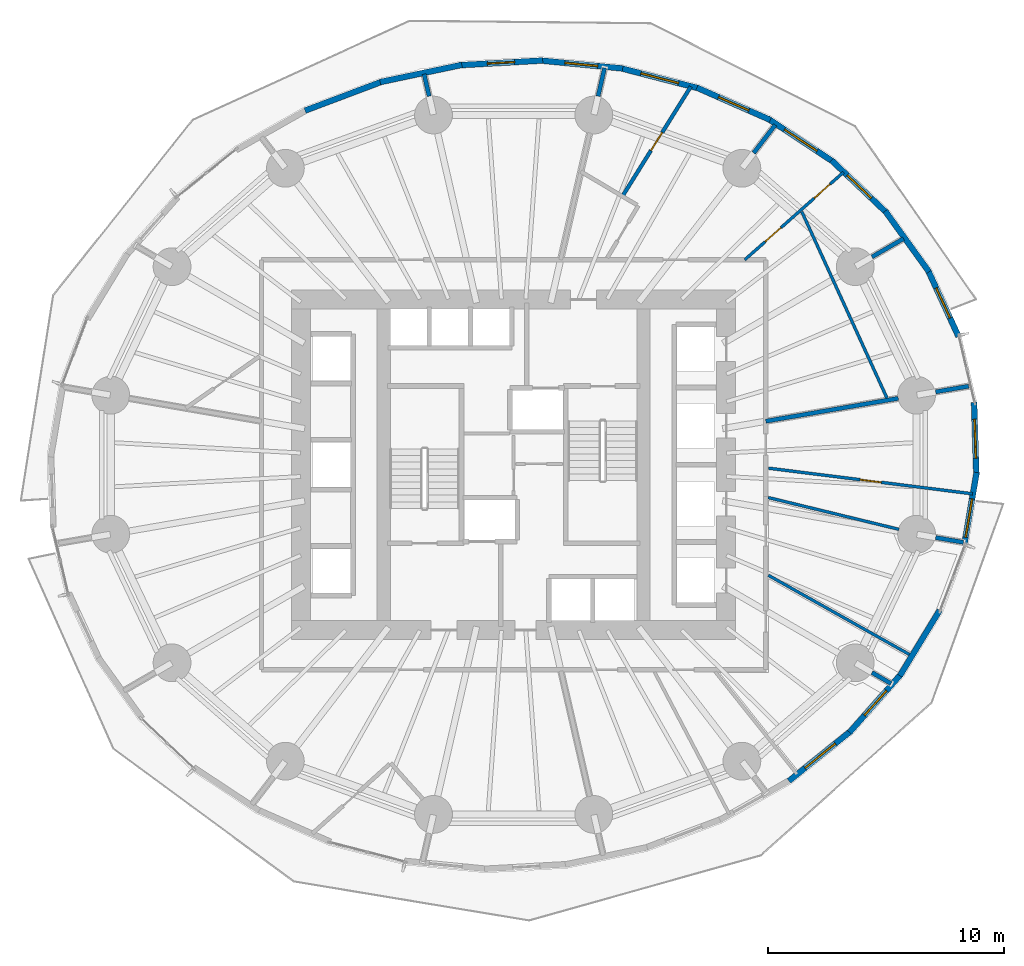
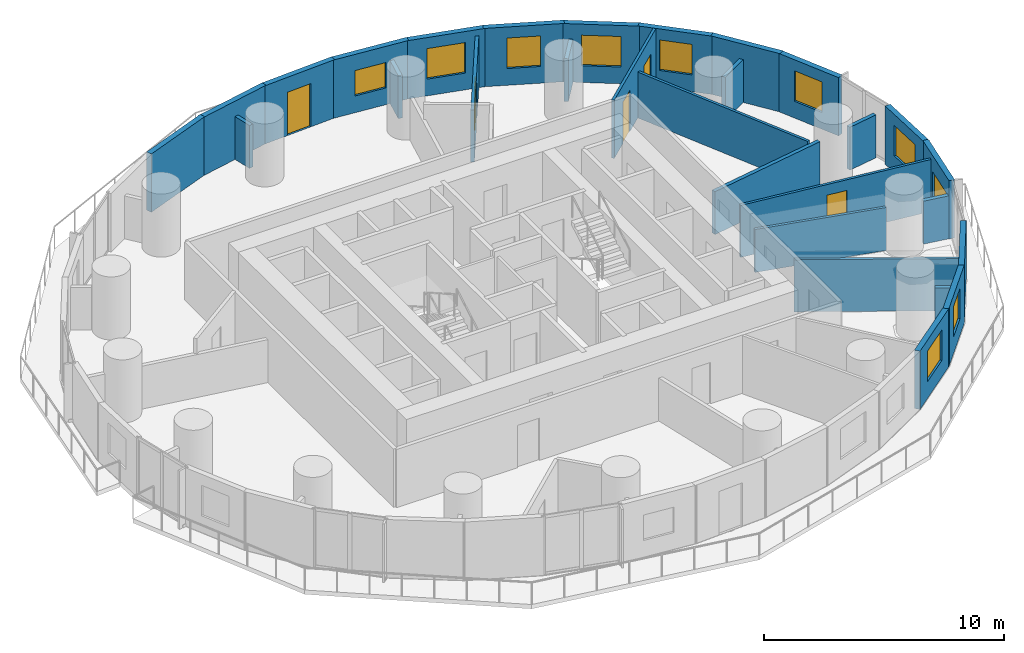
# One storey, part 9 of 14: 29 walls, 10 windows, 5 doors, 15 openings.
"""IFC4 building model written with IfcOpenShell, lengths in metres."""

from ifc_helpers import new_model, si_unit, direction, frame, frame_2d, origin, place, context, subcontext, project, spatial, rectangle, extrude, material, layer, layer_set, type_object, element, fill, save


model = new_model("IFC4")

# Units and contexts
model_context = context("Model", 3, precision=1e-05, world=origin(), true_north=direction((0.0, 1.0)))
body_context = subcontext(model_context, "Body", "Model", "MODEL_VIEW")
ifc_project = project(units=[si_unit("LENGTHUNIT", "METRE"), si_unit("AREAUNIT", "SQUARE_METRE"), si_unit("VOLUMEUNIT", "CUBIC_METRE"), si_unit("PLANEANGLEUNIT", "RADIAN"), si_unit("MASSUNIT", "GRAM", prefix="KILO")], contexts=[model_context])

# Site, building, storey
site_placement = place(None, origin())
site = spatial("IfcSite", under=ifc_project, at=site_placement, CompositionType="ELEMENT")
building_placement = place(site_placement, origin())
building = spatial("IfcBuilding", under=site, at=building_placement, Name="Veldorim Arch Residences", CompositionType="ELEMENT")
storey_placement = place(building_placement, frame((0.0, 0.0, 40.800048828125)))
storey = spatial("IfcBuildingStorey", under=building, at=storey_placement, Name="L11", CompositionType="ELEMENT", Elevation=40.800048828125)

# Wall, opening, door
ifc_material_1 = material(Name="Acoustic Gypsum Board", Category="gypsum")
ifc_layer_1 = layer(ifc_material_1, 0.125, Name="Acoustic Stud Room Partition Wall 125")
ifc_layer_set_1 = layer_set([ifc_layer_1], Name="Acoustic Gypsum Board")
wall_type_1 = type_object("IfcWallType", Name="Acoustic Stud Room Partition Wall 125", PredefinedType="PARTITIONING", material=ifc_layer_set_1)
wall_1_placement = place(storey_placement, frame((51.439453125, 22.767822265625, 0.0), z_axis=(0.0, 0.0, 1.0), x_axis=(-0.992204813033, 0.124617851825, 0.0)))
wall_1 = element("IfcWall", 1, at=wall_1_placement, inside=storey, type_object=wall_type_1, Name="L11 interior wall WL-RES-L11-006", PredefinedType="PARTITIONING", context=body_context, shape_type="SweptSolid", body=[
    extrude(rectangle(XDim=8.708251953125, YDim=0.125, at=frame_2d((4.35400390625, 0.0))), origin(), (0.0, 0.0, 1.0), 2.641357421875),
])
opening_1_placement = place(wall_1_placement, frame((3.904052734375, 0.0, 0.0)))
opening_1 = element("IfcOpeningElement", 2, at=opening_1_placement, cuts=wall_1, Name="Opening DR-SVC", PredefinedType="OPENING", context=body_context, shape_type="SweptSolid", body=[
    extrude(rectangle(XDim=0.89990234375, YDim=2.10009765625, at=frame_2d((0.449951171875, 1.050048828125))), frame((0.0, 0.072509765625, 0.0), z_axis=(0.0, -1.0, 0.0), x_axis=(1.0, 0.0, 0.0)), (0.0, 0.0, 1.0), 0.14501953125),
])
ifc_material_2 = material(Name="Fire-Rated Steel", Category="steel")
door_type_1 = type_object("IfcDoorType", Name="Riser, Shelter & Plant Room Rated Steel Door 900x2100", OperationType="SINGLE_SWING_LEFT", PredefinedType="DOOR", material=ifc_material_2)
door_1_placement = place(opening_1_placement, origin())
door_1 = element("IfcDoor", 3, at=door_1_placement, inside=storey, type_object=door_type_1, Name="L11 interior door DR-RES-L11-006", OperationType="SINGLE_SWING_RIGHT", OverallHeight=2.10009765625, OverallWidth=0.89990234375, PredefinedType="DOOR", context=body_context, shape_type="SweptSolid", body=[
    extrude(rectangle(XDim=0.89990234375, YDim=2.10009765625, at=frame_2d((0.449951171875, 1.050048828125))), frame((0.0, 0.02490234375, 0.0), z_axis=(0.0, -1.0, 0.0), x_axis=(1.0, 0.0, 0.0)), (0.0, 0.0, 1.0), 0.050048828125),
])
fill(opening_1, door_1)

# Walls
wall_2_placement = place(storey_placement, frame((48.85791015625, 15.9091796875, 0.0), z_axis=(0.0, 0.0, 1.0), x_axis=(-0.871931019114, 0.489628734764, 0.0)))
element("IfcWall", 4, at=wall_2_placement, inside=storey, type_object=wall_type_1, Name="L11 interior wall WL-RES-L11-008", PredefinedType="PARTITIONING", context=body_context, shape_type="SweptSolid", body=[
    extrude(rectangle(XDim=6.96533203125, YDim=0.125, at=frame_2d((3.482666015625, 0.0))), origin(), (0.0, 0.0, 1.0), 2.641357421875),
])
wall_3_placement = place(storey_placement, frame((42.777099609375, 22.612060546875, 0.0), z_axis=(0.0, 0.0, 1.0), x_axis=(0.971633604644, -0.236491307083, 0.0)))
element("IfcWall", 5, at=wall_3_placement, inside=storey, type_object=wall_type_1, Name="L11 interior wall WL-RES-L11-009", PredefinedType="PARTITIONING", context=body_context, shape_type="SweptSolid", body=[
    extrude(rectangle(XDim=5.706787109375, YDim=0.125, at=frame_2d((2.853515625, 0.0))), origin(), (0.0, 0.0, 1.0), 2.17822265625),
])

# Wall, openings, doors
wall_4_placement = place(storey_placement, frame((45.972900390625, 36.389892578125, 0.0), z_axis=(0.0, 0.0, 1.0), x_axis=(-0.748208515509, -0.663463651845, 0.0)))
wall_4 = element("IfcWall", 6, at=wall_4_placement, inside=storey, type_object=wall_type_1, Name="L11 interior wall WL-RES-L11-014", PredefinedType="PARTITIONING", context=body_context, shape_type="SweptSolid", body=[
    extrude(rectangle(XDim=5.591796875, YDim=0.125, at=frame_2d((2.7958984375, 0.0))), origin(), (0.0, 0.0, 1.0), 2.954833984375),
])
opening_2_placement = place(wall_4_placement, frame((0.7646484375, 0.0, 0.0)))
opening_2 = element("IfcOpeningElement", 7, at=opening_2_placement, cuts=wall_4, Name="Opening DR-INT", PredefinedType="OPENING", context=body_context, shape_type="SweptSolid", body=[
    extrude(rectangle(XDim=0.89990234375, YDim=2.10009765625, at=frame_2d((0.449951171875, 1.050048828125))), frame((0.0, 0.072509765625, 0.0), z_axis=(0.0, -1.0, 0.0), x_axis=(1.0, 0.0, 0.0)), (0.0, 0.0, 1.0), 0.14501953125),
])
opening_3_placement = place(wall_4_placement, frame((3.5400390625, 0.0, 0.0)))
opening_3 = element("IfcOpeningElement", 8, at=opening_3_placement, cuts=wall_4, Name="Opening DR-INT", PredefinedType="OPENING", context=body_context, shape_type="SweptSolid", body=[
    extrude(rectangle(XDim=0.89990234375, YDim=2.10009765625, at=frame_2d((0.449951171875, 1.050048828125))), frame((0.0, 0.072509765625, 0.0), z_axis=(0.0, -1.0, 0.0), x_axis=(1.0, 0.0, 0.0)), (0.0, 0.0, 1.0), 0.14501953125),
])
ifc_material_3 = material(Name="Engineered Timber", Category="wood")
door_type_2 = type_object("IfcDoorType", Name="Apartment Internal Room Timber Door 900x2100", OperationType="SINGLE_SWING_LEFT", PredefinedType="DOOR", material=ifc_material_3)
door_2_placement = place(opening_2_placement, origin())
door_2 = element("IfcDoor", 9, at=door_2_placement, inside=storey, type_object=door_type_2, Name="L11 interior door DR-RES-L11-009", OperationType="SINGLE_SWING_LEFT", OverallHeight=2.10009765625, OverallWidth=0.89990234375, PredefinedType="DOOR", context=body_context, shape_type="SweptSolid", body=[
    extrude(rectangle(XDim=0.89990234375, YDim=2.10009765625, at=frame_2d((0.449951171875, 1.050048828125))), frame((0.0, 0.02490234375, 0.0), z_axis=(0.0, -1.0, 0.0), x_axis=(1.0, 0.0, 0.0)), (0.0, 0.0, 1.0), 0.050048828125),
])
fill(opening_2, door_2)
door_3_placement = place(opening_3_placement, origin())
door_3 = element("IfcDoor", 10, at=door_3_placement, inside=storey, type_object=door_type_2, Name="L11 interior door DR-RES-L11-010", OperationType="SINGLE_SWING_RIGHT", OverallHeight=2.10009765625, OverallWidth=0.89990234375, PredefinedType="DOOR", context=body_context, shape_type="SweptSolid", body=[
    extrude(rectangle(XDim=0.89990234375, YDim=2.10009765625, at=frame_2d((0.449951171875, 1.050048828125))), frame((0.0, 0.02490234375, 0.0), z_axis=(0.0, -1.0, 0.0), x_axis=(1.0, 0.0, 0.0)), (0.0, 0.0, 1.0), 0.050048828125),
])
fill(opening_3, door_3)

# Walls
wall_5_placement = place(storey_placement, frame((47.81005859375, 26.827392578125, 0.0), z_axis=(0.0, 0.0, 1.0), x_axis=(-0.41559351113, 0.909550456823, 0.0)))
element("IfcWall", 11, at=wall_5_placement, inside=storey, type_object=wall_type_1, Name="L11 interior wall WL-RES-L11-018", PredefinedType="PARTITIONING", context=body_context, shape_type="SweptSolid", body=[
    extrude(rectangle(XDim=8.6767578125, YDim=0.125, at=frame_2d((4.33837890625, 0.0))), origin(), (0.0, 0.0, 1.0), 2.32763671875),
])
ifc_material_4 = material(Name="Lightweight Masonry Block & Gypsum", Category="masonry")
ifc_layer_2 = layer(ifc_material_4, 0.179931640625, Name="Compartment & Corridor Fire-Rated Party Wall 180")
ifc_layer_set_2 = layer_set([ifc_layer_2], Name="Lightweight Masonry Block & Gypsum")
wall_type_2 = type_object("IfcWallType", Name="Compartment & Corridor Fire-Rated Party Wall 180", PredefinedType="PARTITIONING", material=ifc_layer_set_2)
wall_6_placement = place(storey_placement, frame((49.873779296875, 27.08544921875, 0.0), z_axis=(0.0, 0.0, 1.0), x_axis=(0.985419363098, 0.170143112797, 0.0)))
element("IfcWall", 12, at=wall_6_placement, inside=storey, type_object=wall_type_2, Name="L11 interior wall WL-PIER-L11-01", PredefinedType="PARTITIONING", context=body_context, shape_type="SweptSolid", body=[
    extrude(rectangle(XDim=1.419189453125, YDim=0.179931640625, at=frame_2d((0.70947265625, 0.0))), origin(), (0.0, 0.0, 1.0), 2.17822265625),
])
wall_7_placement = place(storey_placement, frame((47.177001953125, 32.80029296875, 0.0), z_axis=(0.0, 0.0, 1.0), x_axis=(0.865036673907, 0.501708633369, 0.0)))
element("IfcWall", 13, at=wall_7_placement, inside=storey, type_object=wall_type_2, Name="L11 interior wall WL-PIER-L11-02", PredefinedType="PARTITIONING", context=body_context, shape_type="SweptSolid", body=[
    extrude(rectangle(XDim=1.54541015625, YDim=0.179931640625, at=frame_2d((0.772705078125, 0.0))), origin(), (0.0, 0.0, 1.0), 2.17822265625),
])
wall_8_placement = place(storey_placement, frame((42.167236328125, 37.204833984375, 0.0), z_axis=(0.0, 0.0, 1.0), x_axis=(0.609978856004, 0.792417689876, 0.0)))
element("IfcWall", 14, at=wall_8_placement, inside=storey, type_object=wall_type_2, Name="L11 interior wall WL-PIER-L11-03", PredefinedType="PARTITIONING", context=body_context, shape_type="SweptSolid", body=[
    extrude(rectangle(XDim=1.49609375, YDim=0.179931640625, at=frame_2d((0.748046875, 0.0))), origin(), (0.0, 0.0, 1.0), 2.17822265625),
])
wall_9_placement = place(storey_placement, frame((35.577880859375, 39.609130859375, 0.0), z_axis=(0.0, 0.0, 1.0), x_axis=(0.223317008343, 0.974745871386, 0.0)))
element("IfcWall", 15, at=wall_9_placement, inside=storey, type_object=wall_type_2, Name="L11 interior wall WL-PIER-L11-04", PredefinedType="PARTITIONING", context=body_context, shape_type="SweptSolid", body=[
    extrude(rectangle(XDim=1.2255859375, YDim=0.179931640625, at=frame_2d((0.61279296875, 0.0))), origin(), (0.0, 0.0, 1.0), 2.17822265625),
])
wall_10_placement = place(storey_placement, frame((28.422119140625, 39.609130859375, 0.0), z_axis=(0.0, 0.0, 1.0), x_axis=(-0.223204870581, 0.974771555673, 0.0)))
element("IfcWall", 16, at=wall_10_placement, inside=storey, type_object=wall_type_2, Name="L11 interior wall WL-PIER-L11-05", PredefinedType="PARTITIONING", context=body_context, shape_type="SweptSolid", body=[
    extrude(rectangle(XDim=0.959228515625, YDim=0.179931640625, at=frame_2d((0.4794921875, 0.0))), origin(), (0.0, 0.0, 1.0), 2.17822265625),
])
wall_11_placement = place(storey_placement, frame((47.177001953125, 15.19970703125, 0.0), z_axis=(0.0, 0.0, 1.0), x_axis=(0.864965183009, -0.501831876411, 0.0)))
element("IfcWall", 17, at=wall_11_placement, inside=storey, type_object=wall_type_2, Name="L11 interior wall WL-PIER-L11-15", PredefinedType="PARTITIONING", context=body_context, shape_type="SweptSolid", body=[
    extrude(rectangle(XDim=0.93115234375, YDim=0.179931640625, at=frame_2d((0.465576171875, 0.0))), origin(), (0.0, 0.0, 1.0), 2.17822265625),
])
wall_12_placement = place(storey_placement, frame((49.873779296875, 20.91455078125, 0.0), z_axis=(0.0, 0.0, 1.0), x_axis=(0.98541644509, -0.170160012181, 0.0)))
element("IfcWall", 18, at=wall_12_placement, inside=storey, type_object=wall_type_2, Name="L11 interior wall WL-PIER-L11-16", PredefinedType="PARTITIONING", context=body_context, shape_type="SweptSolid", body=[
    extrude(rectangle(XDim=1.195068359375, YDim=0.179931640625, at=frame_2d((0.59765625, 0.0))), origin(), (0.0, 0.0, 1.0), 2.17822265625),
])
wall_13_placement = place(storey_placement, frame((42.679931640625, 25.843505859375, 0.0), z_axis=(0.0, 0.0, 1.0), x_axis=(0.98542122422, 0.170132333364, 0.0)))
element("IfcWall", 19, at=wall_13_placement, inside=storey, type_object=wall_type_2, Name="L11 interior wall WL-RES-L11-007", PredefinedType="PARTITIONING", context=body_context, shape_type="SweptSolid", body=[
    extrude(rectangle(XDim=5.694091796875, YDim=0.179931640625, at=frame_2d((2.84716796875, 0.0))), origin(), (0.0, 0.0, 1.0), 2.17822265625),
])

# Wall, opening, window
ifc_material_5 = material(Name="Precast concrete C40/50", Category="concrete")
ifc_layer_3 = layer(ifc_material_5, 0.25, Name="Tower Terracotta Spandrel & Pier Wall 250")
ifc_layer_set_3 = layer_set([ifc_layer_3], Name="Precast concrete C40/50")
wall_type_3 = type_object("IfcWallType", Name="Tower Terracotta Spandrel & Pier Wall 250", PredefinedType="SOLIDWALL", material=ifc_layer_set_3)
wall_14_placement = place(storey_placement, frame((49.537841796875, 32.26806640625, 0.0), z_axis=(0.0, 0.0, 1.0), x_axis=(0.417872029175, -0.908505898293, 0.0)))
wall_14 = element("IfcWall", 20, at=wall_14_placement, inside=storey, type_object=wall_type_3, Name="L11 terracotta facade wall 02", PredefinedType="SOLIDWALL", context=body_context, shape_type="SweptSolid", body=[
    extrude(rectangle(XDim=3.120361328125, YDim=0.25, at=frame_2d((1.56005859375, 0.0))), origin(), (0.0, 0.0, 1.0), 2.9599609375),
])
opening_4_placement = place(wall_14_placement, frame((0.860107421875, 0.0, 0.85009765625)))
opening_4 = element("IfcOpeningElement", 21, at=opening_4_placement, cuts=wall_14, Name="Opening WN-02", PredefinedType="OPENING", context=body_context, shape_type="SweptSolid", body=[
    extrude(rectangle(XDim=1.39990234375, YDim=1.550048828125, at=frame_2d((0.699951171875, 0.77490234375))), frame((0.0, 0.135009765625, 0.0), z_axis=(0.0, -1.0, 0.0), x_axis=(1.0, 0.0, 0.0)), (0.0, 0.0, 1.0), 0.27001953125),
])
ifc_material_6 = material(Name="Laminated Low-E Glass", Category="glass")
window_type_1 = type_object("IfcWindowType", Name="Residential Casement Window 1400x1550", PartitioningType="SINGLE_PANEL", PredefinedType="WINDOW", material=ifc_material_6)
window_1_placement = place(opening_4_placement, origin())
window_1 = element("IfcWindow", 22, at=window_1_placement, inside=storey, type_object=window_type_1, Name="L11 solar-control facade window 02", OverallHeight=1.550048828125, OverallWidth=1.39990234375, PartitioningType="SINGLE_PANEL", PredefinedType="WINDOW", context=body_context, shape_type="SweptSolid", body=[
    extrude(rectangle(XDim=1.39990234375, YDim=1.550048828125, at=frame_2d((0.699951171875, 0.77490234375))), frame((0.0, 0.030029296875, 0.0), z_axis=(0.0, -1.0, 0.0), x_axis=(1.0, 0.0, 0.0)), (0.0, 0.0, 1.0), 0.06005859375),
])
fill(opening_4, window_1)

# Wall
wall_15_placement = place(storey_placement, frame((47.739013671875, 34.74462890625, 0.0), z_axis=(0.0, 0.0, 1.0), x_axis=(0.584805106467, -0.811173833066, 0.0)))
element("IfcWall", 23, at=wall_15_placement, inside=storey, type_object=wall_type_3, Name="L11 terracotta facade wall 03", PredefinedType="SOLIDWALL", context=body_context, shape_type="SweptSolid", body=[
    extrude(rectangle(XDim=3.174072265625, YDim=0.25, at=frame_2d((1.5869140625, 0.0))), origin(), (0.0, 0.0, 1.0), 2.9599609375),
])

# Wall, opening, window
wall_16_placement = place(storey_placement, frame((45.46240234375, 36.895751953125, 0.0), z_axis=(0.0, 0.0, 1.0), x_axis=(0.724569059836, -0.689202203659, 0.0)))
wall_16 = element("IfcWall", 24, at=wall_16_placement, inside=storey, type_object=wall_type_3, Name="L11 terracotta facade wall 04", PredefinedType="SOLIDWALL", context=body_context, shape_type="SweptSolid", body=[
    extrude(rectangle(XDim=3.244384765625, YDim=0.25, at=frame_2d((1.6220703125, 0.0))), origin(), (0.0, 0.0, 1.0), 2.9599609375),
])
opening_5_placement = place(wall_16_placement, frame((0.922119140625, 0.0, 0.85009765625)))
opening_5 = element("IfcOpeningElement", 25, at=opening_5_placement, cuts=wall_16, Name="Opening WN-02", PredefinedType="OPENING", context=body_context, shape_type="SweptSolid", body=[
    extrude(rectangle(XDim=1.39990234375, YDim=1.550048828125, at=frame_2d((0.699951171875, 0.77490234375))), frame((0.0, 0.135009765625, 0.0), z_axis=(0.0, -1.0, 0.0), x_axis=(1.0, 0.0, 0.0)), (0.0, 0.0, 1.0), 0.27001953125),
])
window_2_placement = place(opening_5_placement, origin())
window_2 = element("IfcWindow", 26, at=window_2_placement, inside=storey, type_object=window_type_1, Name="L11 solar-control facade window 04", OverallHeight=1.550048828125, OverallWidth=1.39990234375, PartitioningType="SINGLE_PANEL", PredefinedType="WINDOW", context=body_context, shape_type="SweptSolid", body=[
    extrude(rectangle(XDim=1.39990234375, YDim=1.550048828125, at=frame_2d((0.699951171875, 0.77490234375))), frame((0.0, 0.030029296875, 0.0), z_axis=(0.0, -1.0, 0.0), x_axis=(1.0, 0.0, 0.0)), (0.0, 0.0, 1.0), 0.06005859375),
])
fill(opening_5, window_2)

wall_17_placement = place(storey_placement, frame((42.776611328125, 38.656494140625, 0.0), z_axis=(0.0, 0.0, 1.0), x_axis=(0.834663448541, -0.550760317805, 0.0)))
wall_17 = element("IfcWall", 27, at=wall_17_placement, inside=storey, type_object=wall_type_3, Name="L11 terracotta facade wall 05", PredefinedType="SOLIDWALL", context=body_context, shape_type="SweptSolid", body=[
    extrude(rectangle(XDim=3.32275390625, YDim=0.25, at=frame_2d((1.661376953125, 0.0))), origin(), (0.0, 0.0, 1.0), 2.9599609375),
])
opening_6_placement = place(wall_17_placement, frame((0.8359375, 0.0, 0.85009765625)))
opening_6 = element("IfcOpeningElement", 28, at=opening_6_placement, cuts=wall_17, Name="Opening WN-03", PredefinedType="OPENING", context=body_context, shape_type="SweptSolid", body=[
    extrude(rectangle(XDim=1.64990234375, YDim=1.550048828125, at=frame_2d((0.824951171875, 0.77490234375))), frame((0.0, 0.135009765625, 0.0), z_axis=(0.0, -1.0, 0.0), x_axis=(1.0, 0.0, 0.0)), (0.0, 0.0, 1.0), 0.27001953125),
])
ifc_material_7 = material(Name="Laminated Low-E Glass", Category="glass")
window_type_2 = type_object("IfcWindowType", Name="Residential Wide Window 1650x1550", PartitioningType="SINGLE_PANEL", PredefinedType="WINDOW", material=ifc_material_7)
window_3_placement = place(opening_6_placement, origin())
window_3 = element("IfcWindow", 29, at=window_3_placement, inside=storey, type_object=window_type_2, Name="L11 solar-control facade window 05", OverallHeight=1.550048828125, OverallWidth=1.64990234375, PartitioningType="SINGLE_PANEL", PredefinedType="WINDOW", context=body_context, shape_type="SweptSolid", body=[
    extrude(rectangle(XDim=1.64990234375, YDim=1.550048828125, at=frame_2d((0.824951171875, 0.77490234375))), frame((0.0, 0.030029296875, 0.0), z_axis=(0.0, -1.0, 0.0), x_axis=(1.0, 0.0, 0.0)), (0.0, 0.0, 1.0), 0.06005859375),
])
fill(opening_6, window_3)

wall_18_placement = place(storey_placement, frame((39.7626953125, 39.972412109375, 0.0), z_axis=(0.0, 0.0, 1.0), x_axis=(0.915312914138, -0.402743428515, 0.0)))
wall_18 = element("IfcWall", 30, at=wall_18_placement, inside=storey, type_object=wall_type_3, Name="L11 terracotta facade wall 06", PredefinedType="SOLIDWALL", context=body_context, shape_type="SweptSolid", body=[
    extrude(rectangle(XDim=3.39892578125, YDim=0.25, at=frame_2d((1.699462890625, 0.0))), origin(), (0.0, 0.0, 1.0), 2.9599609375),
])
opening_7_placement = place(wall_18_placement, frame((1.0, 0.0, 0.85009765625)))
opening_7 = element("IfcOpeningElement", 31, at=opening_7_placement, cuts=wall_18, Name="Opening WN-02", PredefinedType="OPENING", context=body_context, shape_type="SweptSolid", body=[
    extrude(rectangle(XDim=1.39990234375, YDim=1.550048828125, at=frame_2d((0.699951171875, 0.77490234375))), frame((0.0, 0.135009765625, 0.0), z_axis=(0.0, -1.0, 0.0), x_axis=(1.0, 0.0, 0.0)), (0.0, 0.0, 1.0), 0.27001953125),
])
window_4_placement = place(opening_7_placement, origin())
window_4 = element("IfcWindow", 32, at=window_4_placement, inside=storey, type_object=window_type_1, Name="L11 solar-control facade window 06", OverallHeight=1.550048828125, OverallWidth=1.39990234375, PartitioningType="SINGLE_PANEL", PredefinedType="WINDOW", context=body_context, shape_type="SweptSolid", body=[
    extrude(rectangle(XDim=1.39990234375, YDim=1.550048828125, at=frame_2d((0.699951171875, 0.77490234375))), frame((0.0, 0.030029296875, 0.0), z_axis=(0.0, -1.0, 0.0), x_axis=(1.0, 0.0, 0.0)), (0.0, 0.0, 1.0), 0.06005859375),
])
fill(opening_7, window_4)

wall_19_placement = place(storey_placement, frame((36.51171875, 40.803466796875, 0.0), z_axis=(0.0, 0.0, 1.0), x_axis=(0.968176058434, -0.250270093848, 0.0)))
wall_19 = element("IfcWall", 33, at=wall_19_placement, inside=storey, type_object=wall_type_3, Name="L11 terracotta facade wall 07", PredefinedType="SOLIDWALL", context=body_context, shape_type="SweptSolid", body=[
    extrude(rectangle(XDim=3.465087890625, YDim=0.25, at=frame_2d((1.732421875, 0.0))), origin(), (0.0, 0.0, 1.0), 2.9599609375),
])
opening_8_placement = place(wall_19_placement, frame((0.906982421875, 0.0, 0.85009765625)))
opening_8 = element("IfcOpeningElement", 34, at=opening_8_placement, cuts=wall_19, Name="Opening WN-03", PredefinedType="OPENING", context=body_context, shape_type="SweptSolid", body=[
    extrude(rectangle(XDim=1.64990234375, YDim=1.550048828125, at=frame_2d((0.824951171875, 0.77490234375))), frame((0.0, 0.135009765625, 0.0), z_axis=(0.0, -1.0, 0.0), x_axis=(1.0, 0.0, 0.0)), (0.0, 0.0, 1.0), 0.27001953125),
])
window_5_placement = place(opening_8_placement, origin())
window_5 = element("IfcWindow", 35, at=window_5_placement, inside=storey, type_object=window_type_2, Name="L11 solar-control facade window 07", OverallHeight=1.550048828125, OverallWidth=1.64990234375, PartitioningType="SINGLE_PANEL", PredefinedType="WINDOW", context=body_context, shape_type="SweptSolid", body=[
    extrude(rectangle(XDim=1.64990234375, YDim=1.550048828125, at=frame_2d((0.824951171875, 0.77490234375))), frame((0.0, 0.030029296875, 0.0), z_axis=(0.0, -1.0, 0.0), x_axis=(1.0, 0.0, 0.0)), (0.0, 0.0, 1.0), 0.06005859375),
])
fill(opening_8, window_5)

wall_20_placement = place(storey_placement, frame((33.122802734375, 41.123779296875, 0.0), z_axis=(0.0, 0.0, 1.0), x_axis=(0.995323323337, -0.096599596386, 0.0)))
wall_20 = element("IfcWall", 36, at=wall_20_placement, inside=storey, type_object=wall_type_3, Name="L11 terracotta facade wall 08", PredefinedType="SOLIDWALL", context=body_context, shape_type="SweptSolid", body=[
    extrude(rectangle(XDim=3.512939453125, YDim=0.25, at=frame_2d((1.75634765625, 0.0))), origin(), (0.0, 0.0, 1.0), 2.9599609375),
])
opening_9_placement = place(wall_20_placement, frame((1.055908203125, 0.0, 0.85009765625)))
opening_9 = element("IfcOpeningElement", 37, at=opening_9_placement, cuts=wall_20, Name="Opening WN-02", PredefinedType="OPENING", context=body_context, shape_type="SweptSolid", body=[
    extrude(rectangle(XDim=1.39990234375, YDim=1.2900390625, at=frame_2d((0.699951171875, 0.64501953125))), frame((0.0, 0.135009765625, 0.0), z_axis=(0.0, -1.0, 0.0), x_axis=(1.0, 0.0, 0.0)), (0.0, 0.0, 1.0), 0.27001953125),
])
window_6_placement = place(opening_9_placement, origin())
window_6 = element("IfcWindow", 38, at=window_6_placement, inside=storey, type_object=window_type_1, Name="L11 solar-control facade window 08", OverallHeight=1.2900390625, OverallWidth=1.39990234375, PartitioningType="SINGLE_PANEL", PredefinedType="WINDOW", context=body_context, shape_type="SweptSolid", body=[
    extrude(rectangle(XDim=1.39990234375, YDim=1.2900390625, at=frame_2d((0.699951171875, 0.64501953125))), frame((0.0, 0.030029296875, 0.0), z_axis=(0.0, -1.0, 0.0), x_axis=(1.0, 0.0, 0.0)), (0.0, 0.0, 1.0), 0.06005859375),
])
fill(opening_9, window_6)

# Wall, opening, door
wall_21_placement = place(storey_placement, frame((29.69921875, 40.923095703125, 0.0), z_axis=(0.0, 0.0, 1.0), x_axis=(0.998425121055, 0.056100602904, 0.0)))
wall_21 = element("IfcWall", 39, at=wall_21_placement, inside=storey, type_object=wall_type_3, Name="L11 terracotta facade wall 09", PredefinedType="SOLIDWALL", context=body_context, shape_type="SweptSolid", body=[
    extrude(rectangle(XDim=3.5380859375, YDim=0.25, at=frame_2d((1.76904296875, 0.0))), origin(), (0.0, 0.0, 1.0), 2.9599609375),
])
opening_10_placement = place(wall_21_placement, frame((1.194091796875, 0.0, 0.0)))
opening_10 = element("IfcOpeningElement", 40, at=opening_10_placement, cuts=wall_21, Name="Opening BL-DR", PredefinedType="OPENING", context=body_context, shape_type="SweptSolid", body=[
    extrude(rectangle(XDim=1.14990234375, YDim=2.199951171875, at=frame_2d((0.574951171875, 1.10009765625))), frame((0.0, 0.135009765625, 0.0), z_axis=(0.0, -1.0, 0.0), x_axis=(1.0, 0.0, 0.0)), (0.0, 0.0, 1.0), 0.27001953125),
])
ifc_material_8 = material(Name="Aluminium & Low-E Glass", Category="aluminium")
door_type_3 = type_object("IfcDoorType", Name="Glazed Planted Balcony Door 1150x2200", OperationType="SINGLE_SWING_LEFT", PredefinedType="DOOR", material=ifc_material_8)
door_4_placement = place(opening_10_placement, origin())
door_4 = element("IfcDoor", 41, at=door_4_placement, inside=storey, type_object=door_type_3, Name="L11 glazed outdoor terrace door BALC-1", OperationType="SINGLE_SWING_LEFT", OverallHeight=2.199951171875, OverallWidth=1.14990234375, PredefinedType="DOOR", context=body_context, shape_type="SweptSolid", body=[
    extrude(rectangle(XDim=1.14990234375, YDim=2.199951171875, at=frame_2d((0.574951171875, 1.10009765625))), frame((0.0, 0.02490234375, 0.0), z_axis=(0.0, -1.0, 0.0), x_axis=(1.0, 0.0, 0.0)), (0.0, 0.0, 1.0), 0.050048828125),
])
fill(opening_10, door_4)

# Walls
wall_22_placement = place(storey_placement, frame((26.344970703125, 40.20751953125, 0.0), z_axis=(0.0, 0.0, 1.0), x_axis=(0.978483842038, 0.206323461756, 0.0)))
element("IfcWall", 42, at=wall_22_placement, inside=storey, type_object=wall_type_3, Name="L11 terracotta facade wall 10", PredefinedType="SOLIDWALL", context=body_context, shape_type="SweptSolid", body=[
    extrude(rectangle(XDim=3.5380859375, YDim=0.25, at=frame_2d((1.76904296875, 0.0))), origin(), (0.0, 0.0, 1.0), 2.9599609375),
])
wall_23_placement = place(storey_placement, frame((23.162353515625, 38.99853515625, 0.0), z_axis=(0.0, 0.0, 1.0), x_axis=(0.935679231508, 0.352851775857, 0.0)))
element("IfcWall", 43, at=wall_23_placement, inside=storey, type_object=wall_type_3, Name="L11 terracotta facade wall 11", PredefinedType="SOLIDWALL", context=body_context, shape_type="SweptSolid", body=[
    extrude(rectangle(XDim=3.5126953125, YDim=0.25, at=frame_2d((1.75634765625, 0.0))), origin(), (0.0, 0.0, 1.0), 2.9599609375),
])

# Wall, opening, window
wall_24_placement = place(storey_placement, frame((46.306640625, 12.738525390625, 0.0), z_axis=(0.0, 0.0, 1.0), x_axis=(-0.778586232895, -0.627537630701, 0.0)))
wall_24 = element("IfcWall", 44, at=wall_24_placement, inside=storey, type_object=wall_type_3, Name="L11 terracotta facade wall 31", PredefinedType="SOLIDWALL", context=body_context, shape_type="SweptSolid", body=[
    extrude(rectangle(XDim=3.399169921875, YDim=0.25, at=frame_2d((1.69970703125, 0.0))), origin(), (0.0, 0.0, 1.0), 2.9599609375),
])
opening_11_placement = place(wall_24_placement, frame((0.875, 0.0, 0.85009765625)))
opening_11 = element("IfcOpeningElement", 45, at=opening_11_placement, cuts=wall_24, Name="Opening WN-03", PredefinedType="OPENING", context=body_context, shape_type="SweptSolid", body=[
    extrude(rectangle(XDim=1.64990234375, YDim=1.550048828125, at=frame_2d((0.824951171875, 0.77490234375))), frame((0.0, 0.135009765625, 0.0), z_axis=(0.0, -1.0, 0.0), x_axis=(1.0, 0.0, 0.0)), (0.0, 0.0, 1.0), 0.27001953125),
])
window_7_placement = place(opening_11_placement, origin())
window_7 = element("IfcWindow", 46, at=window_7_placement, inside=storey, type_object=window_type_2, Name="L11 solar-control facade window 31", OverallHeight=1.550048828125, OverallWidth=1.64990234375, PartitioningType="SINGLE_PANEL", PredefinedType="WINDOW", context=body_context, shape_type="SweptSolid", body=[
    extrude(rectangle(XDim=1.64990234375, YDim=1.550048828125, at=frame_2d((0.824951171875, 0.77490234375))), frame((0.0, 0.030029296875, 0.0), z_axis=(0.0, -1.0, 0.0), x_axis=(1.0, 0.0, 0.0)), (0.0, 0.0, 1.0), 0.06005859375),
])
fill(opening_11, window_7)

wall_25_placement = place(storey_placement, frame((48.426513671875, 15.152099609375, 0.0), z_axis=(0.0, 0.0, 1.0), x_axis=(-0.662112398544, -0.749404544751, 0.0)))
wall_25 = element("IfcWall", 47, at=wall_25_placement, inside=storey, type_object=wall_type_3, Name="L11 terracotta facade wall 32", PredefinedType="SOLIDWALL", context=body_context, shape_type="SweptSolid", body=[
    extrude(rectangle(XDim=3.322509765625, YDim=0.25, at=frame_2d((1.6611328125, 0.0))), origin(), (0.0, 0.0, 1.0), 2.9599609375),
])
opening_12_placement = place(wall_25_placement, frame((0.9609375, 0.0, 0.85009765625)))
opening_12 = element("IfcOpeningElement", 48, at=opening_12_placement, cuts=wall_25, Name="Opening WN-02", PredefinedType="OPENING", context=body_context, shape_type="SweptSolid", body=[
    extrude(rectangle(XDim=1.39990234375, YDim=1.550048828125, at=frame_2d((0.699951171875, 0.77490234375))), frame((0.0, 0.135009765625, 0.0), z_axis=(0.0, -1.0, 0.0), x_axis=(1.0, 0.0, 0.0)), (0.0, 0.0, 1.0), 0.27001953125),
])
window_8_placement = place(opening_12_placement, origin())
window_8 = element("IfcWindow", 49, at=window_8_placement, inside=storey, type_object=window_type_1, Name="L11 solar-control facade window 32", OverallHeight=1.550048828125, OverallWidth=1.39990234375, PartitioningType="SINGLE_PANEL", PredefinedType="WINDOW", context=body_context, shape_type="SweptSolid", body=[
    extrude(rectangle(XDim=1.39990234375, YDim=1.550048828125, at=frame_2d((0.699951171875, 0.77490234375))), frame((0.0, 0.030029296875, 0.0), z_axis=(0.0, -1.0, 0.0), x_axis=(1.0, 0.0, 0.0)), (0.0, 0.0, 1.0), 0.06005859375),
])
fill(opening_12, window_8)

# Wall
wall_26_placement = place(storey_placement, frame((50.04638671875, 17.833984375, 0.0), z_axis=(0.0, 0.0, 1.0), x_axis=(-0.519753566346, -0.854316235519, 0.0)))
element("IfcWall", 50, at=wall_26_placement, inside=storey, type_object=wall_type_3, Name="L11 terracotta facade wall 33", PredefinedType="SOLIDWALL", context=body_context, shape_type="SweptSolid", body=[
    extrude(rectangle(XDim=3.244384765625, YDim=0.25, at=frame_2d((1.6220703125, 0.0))), origin(), (0.0, 0.0, 1.0), 2.9599609375),
])

# Wall, opening, window
wall_27_placement = place(storey_placement, frame((51.606689453125, 23.669921875, 0.0), z_axis=(0.0, 0.0, 1.0), x_axis=(-0.166403122634, -0.98605780803, 0.0)))
wall_27 = element("IfcWall", 51, at=wall_27_placement, inside=storey, type_object=wall_type_3, Name="L11 terracotta facade wall 35", PredefinedType="SOLIDWALL", context=body_context, shape_type="SweptSolid", body=[
    extrude(rectangle(XDim=3.12060546875, YDim=0.25, at=frame_2d((1.560302734375, 0.0))), origin(), (0.0, 0.0, 1.0), 2.9599609375),
])
opening_13_placement = place(wall_27_placement, frame((1.135009765625, 0.0, 0.85009765625)))
opening_13 = element("IfcOpeningElement", 52, at=opening_13_placement, cuts=wall_27, Name="Opening WN-03", PredefinedType="OPENING", context=body_context, shape_type="SweptSolid", body=[
    extrude(rectangle(XDim=1.64990234375, YDim=1.2900390625, at=frame_2d((0.824951171875, 0.64501953125))), frame((0.0, 0.135009765625, 0.0), z_axis=(0.0, -1.0, 0.0), x_axis=(1.0, 0.0, 0.0)), (0.0, 0.0, 1.0), 0.27001953125),
])
window_9_placement = place(opening_13_placement, origin())
window_9 = element("IfcWindow", 53, at=window_9_placement, inside=storey, type_object=window_type_2, Name="L11 solar-control facade window 35", OverallHeight=1.2900390625, OverallWidth=1.64990234375, PartitioningType="SINGLE_PANEL", PredefinedType="WINDOW", context=body_context, shape_type="SweptSolid", body=[
    extrude(rectangle(XDim=1.64990234375, YDim=1.2900390625, at=frame_2d((0.824951171875, 0.64501953125))), frame((0.0, 0.030029296875, 0.0), z_axis=(0.0, -1.0, 0.0), x_axis=(1.0, 0.0, 0.0)), (0.0, 0.0, 1.0), 0.06005859375),
])
fill(opening_13, window_9)

wall_28_placement = place(storey_placement, frame((51.50146484375, 26.64599609375, 0.0), z_axis=(0.0, 0.0, 1.0), x_axis=(0.031584802517, -0.999501075662, 0.0)))
wall_28 = element("IfcWall", 54, at=wall_28_placement, inside=storey, type_object=wall_type_3, Name="L11 terracotta facade wall 36", PredefinedType="SOLIDWALL", context=body_context, shape_type="SweptSolid", body=[
    extrude(rectangle(XDim=3.091796875, YDim=0.25, at=frame_2d((1.5458984375, 0.0))), origin(), (0.0, 0.0, 1.0), 2.9599609375),
])
opening_14_placement = place(wall_28_placement, frame((0.720947265625, 0.0, 0.85009765625)))
opening_14 = element("IfcOpeningElement", 55, at=opening_14_placement, cuts=wall_28, Name="Opening WN-03", PredefinedType="OPENING", context=body_context, shape_type="SweptSolid", body=[
    extrude(rectangle(XDim=1.64990234375, YDim=1.550048828125, at=frame_2d((0.824951171875, 0.77490234375))), frame((0.0, 0.135009765625, 0.0), z_axis=(0.0, -1.0, 0.0), x_axis=(1.0, 0.0, 0.0)), (0.0, 0.0, 1.0), 0.27001953125),
])
window_10_placement = place(opening_14_placement, origin())
window_10 = element("IfcWindow", 56, at=window_10_placement, inside=storey, type_object=window_type_2, Name="L11 solar-control facade window 36", OverallHeight=1.550048828125, OverallWidth=1.64990234375, PartitioningType="SINGLE_PANEL", PredefinedType="WINDOW", context=body_context, shape_type="SweptSolid", body=[
    extrude(rectangle(XDim=1.64990234375, YDim=1.550048828125, at=frame_2d((0.824951171875, 0.77490234375))), frame((0.0, 0.030029296875, 0.0), z_axis=(0.0, -1.0, 0.0), x_axis=(1.0, 0.0, 0.0)), (0.0, 0.0, 1.0), 0.06005859375),
])
fill(opening_14, window_10)

# Wall, opening, door
ifc_material_9 = material(Name="Moisture-Resistant Gypsum & Stud", Category="gypsum")
ifc_layer_4 = layer(ifc_material_9, 0.159912109375, Name="Wet-Area Moisture-Resistant Plumbing Wall 160")
ifc_layer_set_4 = layer_set([ifc_layer_4], Name="Moisture-Resistant Gypsum & Stud")
wall_type_4 = type_object("IfcWallType", Name="Wet-Area Moisture-Resistant Plumbing Wall 160", PredefinedType="PLUMBINGWALL", material=ifc_layer_set_4)
wall_29_placement = place(storey_placement, frame((36.606689453125, 35.369140625, 0.0), z_axis=(0.0, 0.0, 1.0), x_axis=(0.529180994646, 0.848508971612, 0.0)))
wall_29 = element("IfcWall", 57, at=wall_29_placement, inside=storey, type_object=wall_type_4, Name="L11 interior wall WL-RES-L11-013", PredefinedType="PLUMBINGWALL", context=body_context, shape_type="SweptSolid", body=[
    extrude(rectangle(XDim=5.474853515625, YDim=0.159912109375, at=frame_2d((2.7373046875, 0.0))), origin(), (0.0, 0.0, 1.0), 2.641357421875),
])
opening_15_placement = place(wall_29_placement, frame((2.28759765625, 0.0, 0.0)))
opening_15 = element("IfcOpeningElement", 58, at=opening_15_placement, cuts=wall_29, Name="Opening DR-WC", PredefinedType="OPENING", context=body_context, shape_type="SweptSolid", body=[
    extrude(rectangle(XDim=0.89990234375, YDim=2.10009765625, at=frame_2d((0.449951171875, 1.050048828125))), frame((0.0, 0.08984375, 0.0), z_axis=(0.0, -1.0, 0.0), x_axis=(1.0, 0.0, 0.0)), (0.0, 0.0, 1.0), 0.179931640625),
])
ifc_material_10 = material(Name="Laminate Timber", Category="wood")
door_type_4 = type_object("IfcDoorType", Name="Bathroom & Accessible WC Moisture-Sealed Door 900x2100", OperationType="SINGLE_SWING_LEFT", PredefinedType="DOOR", material=ifc_material_10)
door_5_placement = place(opening_15_placement, origin())
door_5 = element("IfcDoor", 59, at=door_5_placement, inside=storey, type_object=door_type_4, Name="L11 interior door DR-RES-L11-008", OperationType="SINGLE_SWING_RIGHT", OverallHeight=2.10009765625, OverallWidth=0.89990234375, PredefinedType="DOOR", context=body_context, shape_type="SweptSolid", body=[
    extrude(rectangle(XDim=0.89990234375, YDim=2.10009765625, at=frame_2d((0.449951171875, 1.050048828125))), frame((0.0, 0.02490234375, 0.0), z_axis=(0.0, -1.0, 0.0), x_axis=(1.0, 0.0, 0.0)), (0.0, 0.0, 1.0), 0.050048828125),
])
fill(opening_15, door_5)

save(model, "model.ifc")
